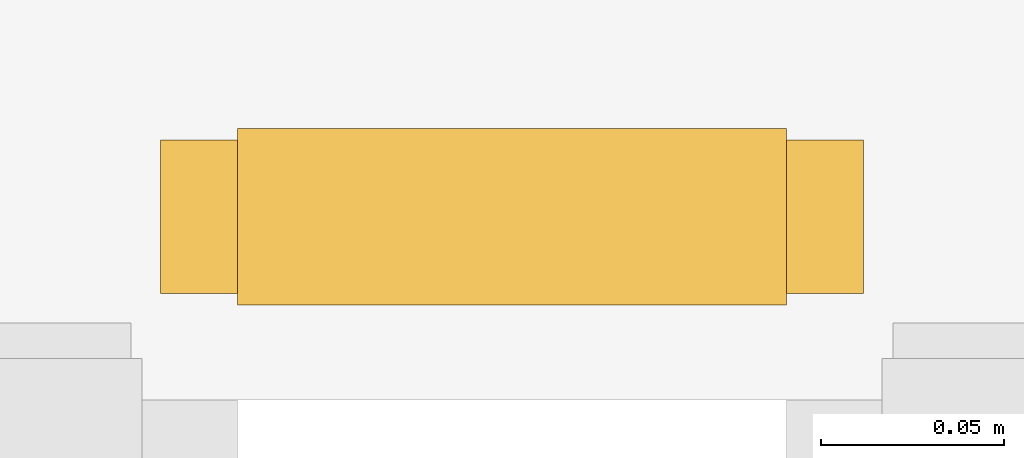
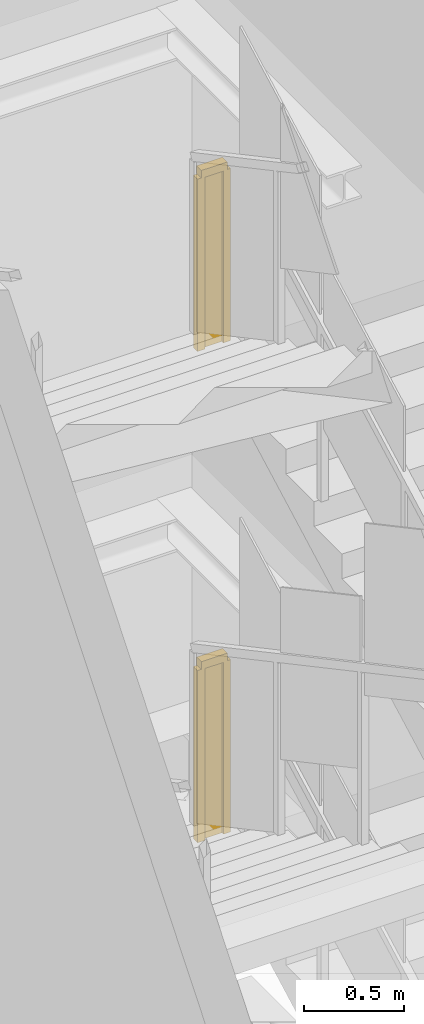
# One storey, part 31 of 31: 2 railings.
"""IFC4 building model written with IfcOpenShell, lengths in metres."""

import ifcopenshell
import ifcopenshell.guid

model = None  # the IFC model being written
_history = None  # IfcOwnerHistory: only IFC2X3 demands one
_inside = {}  # id of a spatial element -> (the spatial element, [elements in it])
_under = {}  # id of a project, library or spatial element -> (it, [spatial elements below it])
_declared = {}  # id of a project -> (the project, [libraries it declares])
_typed = {}  # id of a type object -> (the type object, [elements of that type])
_made_of = {}  # id of a material, layer set ... -> (it, [elements and type objects made of it])


def new_model(schema):
    """Start an empty IFC model of exactly this schema.

    Asked for "IFC4X3", IfcOpenShell would pick the latest addendum, in which some entities
    have other attributes; the version numbers below select the first issue.
    IFC2X3 requires an IfcOwnerHistory on every rooted entity: one is made here for all.
    """
    global model, _history
    if schema == "IFC4X3":
        model = ifcopenshell.file(schema_version=(4, 3, 0, 0))
    else:
        model = ifcopenshell.file(schema=schema)
    _inside.clear()
    _under.clear()
    _declared.clear()
    _typed.clear()
    _made_of.clear()
    _history = None
    if model.schema == "IFC2X3":
        org = make("IfcOrganization", Name="unknown")
        user = make(
            "IfcPersonAndOrganization",
            ThePerson=make("IfcPerson", FamilyName="unknown"),
            TheOrganization=org,
        )
        app = make(
            "IfcApplication",
            ApplicationDeveloper=org,
            Version="unknown",
            ApplicationFullName="unknown",
            ApplicationIdentifier="unknown",
        )
        _history = make(
            "IfcOwnerHistory",
            OwningUser=user,
            OwningApplication=app,
            ChangeAction="ADDED",
            CreationDate=0,
        )
    return model


def make(cls, **values):
    """One entity of the class cls with the attributes given. An attribute that is None is left unset."""
    return model.create_entity(
        cls, **{name: value for name, value in values.items() if value is not None}
    )


def rooted(cls, **values):
    """An entity with a GlobalId (a new one), such as an element, a storey or a relation."""
    return make(cls, GlobalId=ifcopenshell.guid.new(), OwnerHistory=_history, **values)


def si_unit(unit_type, name, prefix=None):
    """IfcSIUnit, for example si_unit("LENGTHUNIT", "METRE", prefix="MILLI")."""
    return make("IfcSIUnit", UnitType=unit_type, Prefix=prefix, Name=name)


def assignment(units):
    """IfcUnitAssignment: the units of a project."""
    return None if units is None else make("IfcUnitAssignment", Units=units)


def point(xyz):
    """IfcCartesianPoint."""
    return None if xyz is None else make("IfcCartesianPoint", Coordinates=xyz)


def direction(xyz):
    """IfcDirection."""
    return None if xyz is None else make("IfcDirection", DirectionRatios=xyz)


def frame(location, z_axis=None, x_axis=None):
    """IfcAxis2Placement3D, a coordinate frame: its origin and axes. An axis left out is left unset."""
    return make(
        "IfcAxis2Placement3D",
        Location=point(location),
        Axis=direction(z_axis),
        RefDirection=direction(x_axis),
    )


def frame_2d(location, x_axis=None):
    """IfcAxis2Placement2D, a coordinate frame in the plane: its origin and x axis."""
    return make(
        "IfcAxis2Placement2D", Location=point(location), RefDirection=direction(x_axis)
    )


def origin():
    """The frame at (0, 0, 0) with its axes left unset."""
    return frame((0.0, 0.0, 0.0))


def origin_2d():
    """The frame at (0, 0) in the plane with its x axis left unset."""
    return frame_2d((0.0, 0.0))


def place(relative_to, where):
    """IfcLocalPlacement: puts the frame where relative to a parent placement (None: the world)."""
    return make(
        "IfcLocalPlacement", PlacementRelTo=relative_to, RelativePlacement=where
    )


def context(
    kind, dimensions, precision=None, world=None, true_north=None, identifier=None
):
    """IfcGeometricRepresentationContext, for example the 3D "Model" context."""
    return make(
        "IfcGeometricRepresentationContext",
        ContextIdentifier=identifier,
        ContextType=kind,
        CoordinateSpaceDimension=dimensions,
        Precision=precision,
        WorldCoordinateSystem=world,
        TrueNorth=true_north,
    )


def subcontext(parent, identifier, kind, view, scale=None):
    """IfcGeometricRepresentationSubContext, for example "Body" below "Model"."""
    return make(
        "IfcGeometricRepresentationSubContext",
        ContextIdentifier=identifier,
        ContextType=kind,
        ParentContext=parent,
        TargetScale=scale,
        TargetView=view,
    )


def project(units=None, contexts=None):
    """IfcProject with its units and contexts."""
    return rooted(
        "IfcProject",
        Name="project",
        RepresentationContexts=contexts,
        UnitsInContext=assignment(units),
    )


def spatial(cls, under=None, at=None, **own):
    """A site, building, storey or space (cls), placed at a placement, below another one or the project."""
    s = rooted(cls, ObjectPlacement=at, **own)
    if under is not None:
        _under.setdefault(under.id(), (under, []))[1].append(s)
    return s


def polyline(points):
    """IfcPolyline through the points."""
    return make("IfcPolyline", Points=[point(p) for p in points])


def profile(cls, at=None, kind="AREA", **sizes):
    """A parametric profile (cls). Its sizes go by their IFC names, for example OverallWidth=200.0."""
    return make(cls, ProfileType=kind, Position=at, **sizes)


def rectangle(**sizes):
    """IfcRectangleProfileDef."""
    return profile("IfcRectangleProfileDef", **sizes)


def outline(outer, holes=None, kind="AREA"):
    """IfcArbitraryClosedProfileDef: a profile drawn as a closed curve; with holes, ...WithVoids."""
    if holes is None:
        return make("IfcArbitraryClosedProfileDef", ProfileType=kind, OuterCurve=outer)
    return make(
        "IfcArbitraryProfileDefWithVoids",
        ProfileType=kind,
        OuterCurve=outer,
        InnerCurves=holes,
    )


def extrude(swept, where, along, depth):
    """IfcExtrudedAreaSolid: the profile swept, set in the frame where, extruded along a direction by depth."""
    return make(
        "IfcExtrudedAreaSolid",
        SweptArea=swept,
        Position=where,
        ExtrudedDirection=direction(along),
        Depth=depth,
    )


def shape(context_of_items, identifier, shape_type, items):
    """IfcShapeRepresentation: the items that make up one representation, for example the "Body"."""
    return make(
        "IfcShapeRepresentation",
        ContextOfItems=context_of_items,
        RepresentationIdentifier=identifier,
        RepresentationType=shape_type,
        Items=items,
    )


def material(Name=None, Category=None):
    """IfcMaterial."""
    return make("IfcMaterial", Name=Name, Category=Category)


def made_of(thing, what):
    """Note that an element or type object is made of a material, layer set ...; save() writes the relation."""
    if what is not None:
        _made_of.setdefault(what.id(), (what, []))[1].append(thing)
    return thing


def type_object(cls, material=None, **own):
    """A type object (cls), such as IfcWallType, which elements share."""
    return made_of(rooted(cls, **own), material)


def element(
    cls,
    number,
    at=None,
    inside=None,
    cuts=None,
    type_object=None,
    material=None,
    context=None,
    identifier="Body",
    shape_type=None,
    held_by="IfcProductDefinitionShape",
    body=None,
    shapes=None,
    **own,
):
    """One element of the class cls, such as IfcWall. Its Tag is "e" and its number.

    at: its placement. inside: the storey or other place that contains it. cuts: it is an
    opening in that element (IfcRelVoidsElement). A single representation is given by context,
    identifier, shape_type and body (its items); several are given by shapes. held_by: the class
    of the entity that holds the representations. save() writes the other relations.
    """
    e = rooted(cls, Tag="e%d" % number, ObjectPlacement=at, **own)
    if body is not None:
        shapes = [shape(context, identifier, shape_type, body)]
    if shapes is not None:
        e.Representation = make(held_by, Representations=shapes)
    if inside is not None:
        _inside.setdefault(inside.id(), (inside, []))[1].append(e)
    if cuts is not None:
        rooted(
            "IfcRelVoidsElement", RelatingBuildingElement=cuts, RelatedOpeningElement=e
        )
    if type_object is not None:
        _typed.setdefault(type_object.id(), (type_object, []))[1].append(e)
    return made_of(e, material)


def aggregate(whole, parts):
    """IfcRelAggregates: a whole, such as a stair, and the parts it consists of."""
    return rooted("IfcRelAggregates", RelatingObject=whole, RelatedObjects=parts)


def save(model, path):
    """Write the relations noted so far, then the file.

    IfcRelAggregates (storeys below a building ...), IfcRelContainedInSpatialStructure (elements
    in a storey), IfcRelDefinesByType, IfcRelAssociatesMaterial and IfcRelDeclares: one each for
    every whole, place, type object, material and project.
    """
    for whole, parts in _under.values():
        aggregate(whole, parts)
    for where, things in _inside.values():
        rooted(
            "IfcRelContainedInSpatialStructure",
            RelatedElements=things,
            RelatingStructure=where,
        )
    for kind, things in _typed.values():
        rooted("IfcRelDefinesByType", RelatedObjects=things, RelatingType=kind)
    for what, things in _made_of.values():
        rooted("IfcRelAssociatesMaterial", RelatedObjects=things, RelatingMaterial=what)
    for by, libraries in _declared.values():
        rooted("IfcRelDeclares", RelatingContext=by, RelatedDefinitions=libraries)
    model.write(path)


model = new_model("IFC4")

# Units and contexts
model_context = context("Model", 3, precision=1e-05, world=origin(), true_north=direction((0.0, 1.0)))
body_context = subcontext(model_context, "Body", "Model", "MODEL_VIEW")
ifc_project = project(units=[si_unit("LENGTHUNIT", "METRE"), si_unit("AREAUNIT", "SQUARE_METRE"), si_unit("VOLUMEUNIT", "CUBIC_METRE"), si_unit("PLANEANGLEUNIT", "RADIAN"), si_unit("MASSUNIT", "GRAM", prefix="KILO")], contexts=[model_context])

# Site, building, storey
site_placement = place(None, origin())
site = spatial("IfcSite", under=ifc_project, at=site_placement, CompositionType="ELEMENT")
building_placement = place(site_placement, origin())
building = spatial("IfcBuilding", under=site, at=building_placement, Name="Cairn Pilgrim Tower", CompositionType="ELEMENT")
storey_placement = place(building_placement, frame((0.0, 0.0, 15.0)))
storey = spatial("IfcBuildingStorey", under=building, at=storey_placement, Name="L02", CompositionType="ELEMENT", Elevation=15.0)

# Railings
ifc_material = material(Name="Painted steel", Category="steel")
railing_type = type_object("IfcRailingType", Name="PODIUM STAIR GUARD 1100", PredefinedType="GUARDRAIL", material=ifc_material)
for number, where, name in (
    (1, (32.64990234375, 22.77001953125, 1.5), "L02 ST-ES4 stair guard 2"),
    (2, (32.64990234375, 22.77001953125, 4.5), "L02 ST-ES4 stair guard 6"),
):
    element("IfcRailing", number, at=place(storey_placement, frame(where)), inside=storey, type_object=railing_type, Name=name, PredefinedType="GUARDRAIL", context=body_context, shape_type="SweptSolid", body=[
        extrude(rectangle(XDim=0.048095703125, YDim=0.048095703125, at=origin_2d()), frame((0.0, 0.0, 1.076171875), z_axis=(-1.0, 0.0, 0.0), x_axis=(0.0, -1.0, 0.0)), (0.0, 0.0, 1.0), 0.14990234375),
        extrude(rectangle(XDim=0.0419921875, YDim=0.0419921875, at=origin_2d()), origin(), (0.0, 0.0, 1.0), 1.052001953125),
        extrude(rectangle(XDim=0.0419921875, YDim=0.0419921875, at=origin_2d()), frame((-0.14990234375, 0.0, 0.0)), (0.0, 0.0, 1.0), 1.052001953125),
        extrude(outline(polyline([(0.02099609375, 0.0), (0.12890625, 0.0), (0.12890625, 1.052001953125), (0.02099609375, 1.052001953125), (0.02099609375, 0.0)])), frame((0.0, -0.005859375, 0.0), z_axis=(0.0, 1.0, 0.0), x_axis=(-1.0, 0.0, 0.0)), (0.0, 0.0, 1.0), 0.011962890625),
    ])

save(model, "model.ifc")
